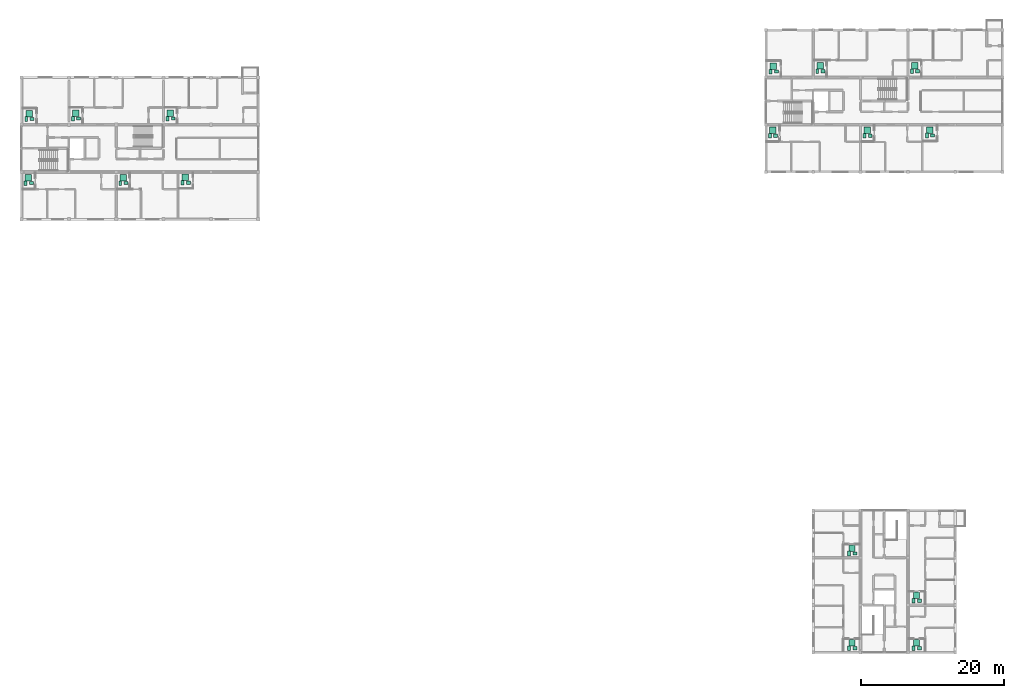
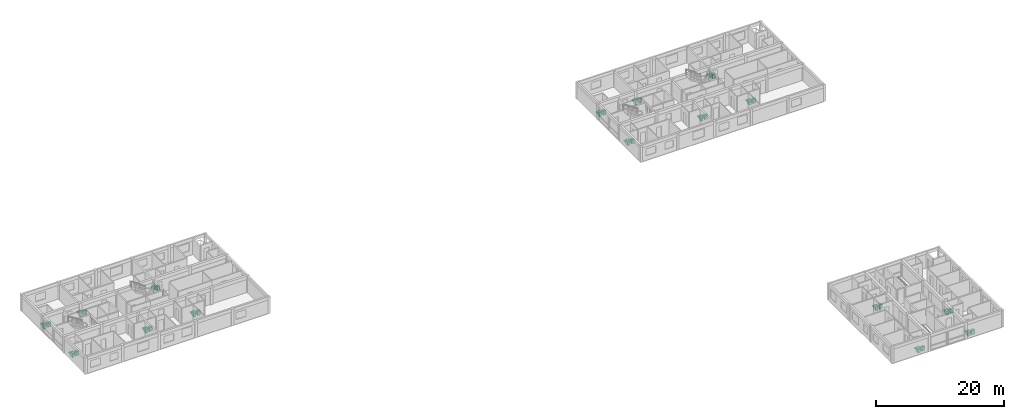
# One storey, part 34 of 34: 48 sanitary terminals.
"""IFC4 building model written with IfcOpenShell, lengths in metres."""

import ifcopenshell
import ifcopenshell.guid

model = None  # the IFC model being written
_history = None  # IfcOwnerHistory: only IFC2X3 demands one
_inside = {}  # id of a spatial element -> (the spatial element, [elements in it])
_under = {}  # id of a project, library or spatial element -> (it, [spatial elements below it])
_declared = {}  # id of a project -> (the project, [libraries it declares])
_typed = {}  # id of a type object -> (the type object, [elements of that type])
_made_of = {}  # id of a material, layer set ... -> (it, [elements and type objects made of it])


def new_model(schema):
    """Start an empty IFC model of exactly this schema.

    Asked for "IFC4X3", IfcOpenShell would pick the latest addendum, in which some entities
    have other attributes; the version numbers below select the first issue.
    IFC2X3 requires an IfcOwnerHistory on every rooted entity: one is made here for all.
    """
    global model, _history
    if schema == "IFC4X3":
        model = ifcopenshell.file(schema_version=(4, 3, 0, 0))
    else:
        model = ifcopenshell.file(schema=schema)
    _inside.clear()
    _under.clear()
    _declared.clear()
    _typed.clear()
    _made_of.clear()
    _history = None
    if model.schema == "IFC2X3":
        org = make("IfcOrganization", Name="unknown")
        user = make(
            "IfcPersonAndOrganization",
            ThePerson=make("IfcPerson", FamilyName="unknown"),
            TheOrganization=org,
        )
        app = make(
            "IfcApplication",
            ApplicationDeveloper=org,
            Version="unknown",
            ApplicationFullName="unknown",
            ApplicationIdentifier="unknown",
        )
        _history = make(
            "IfcOwnerHistory",
            OwningUser=user,
            OwningApplication=app,
            ChangeAction="ADDED",
            CreationDate=0,
        )
    return model


def make(cls, **values):
    """One entity of the class cls with the attributes given. An attribute that is None is left unset."""
    return model.create_entity(
        cls, **{name: value for name, value in values.items() if value is not None}
    )


def rooted(cls, **values):
    """An entity with a GlobalId (a new one), such as an element, a storey or a relation."""
    return make(cls, GlobalId=ifcopenshell.guid.new(), OwnerHistory=_history, **values)


def si_unit(unit_type, name, prefix=None):
    """IfcSIUnit, for example si_unit("LENGTHUNIT", "METRE", prefix="MILLI")."""
    return make("IfcSIUnit", UnitType=unit_type, Prefix=prefix, Name=name)


def assignment(units):
    """IfcUnitAssignment: the units of a project."""
    return None if units is None else make("IfcUnitAssignment", Units=units)


def point(xyz):
    """IfcCartesianPoint."""
    return None if xyz is None else make("IfcCartesianPoint", Coordinates=xyz)


def direction(xyz):
    """IfcDirection."""
    return None if xyz is None else make("IfcDirection", DirectionRatios=xyz)


def frame(location, z_axis=None, x_axis=None):
    """IfcAxis2Placement3D, a coordinate frame: its origin and axes. An axis left out is left unset."""
    return make(
        "IfcAxis2Placement3D",
        Location=point(location),
        Axis=direction(z_axis),
        RefDirection=direction(x_axis),
    )


def frame_2d(location, x_axis=None):
    """IfcAxis2Placement2D, a coordinate frame in the plane: its origin and x axis."""
    return make(
        "IfcAxis2Placement2D", Location=point(location), RefDirection=direction(x_axis)
    )


def origin():
    """The frame at (0, 0, 0) with its axes left unset."""
    return frame((0.0, 0.0, 0.0))


def origin_2d():
    """The frame at (0, 0) in the plane with its x axis left unset."""
    return frame_2d((0.0, 0.0))


def place(relative_to, where):
    """IfcLocalPlacement: puts the frame where relative to a parent placement (None: the world)."""
    return make(
        "IfcLocalPlacement", PlacementRelTo=relative_to, RelativePlacement=where
    )


def context(
    kind, dimensions, precision=None, world=None, true_north=None, identifier=None
):
    """IfcGeometricRepresentationContext, for example the 3D "Model" context."""
    return make(
        "IfcGeometricRepresentationContext",
        ContextIdentifier=identifier,
        ContextType=kind,
        CoordinateSpaceDimension=dimensions,
        Precision=precision,
        WorldCoordinateSystem=world,
        TrueNorth=true_north,
    )


def subcontext(parent, identifier, kind, view, scale=None):
    """IfcGeometricRepresentationSubContext, for example "Body" below "Model"."""
    return make(
        "IfcGeometricRepresentationSubContext",
        ContextIdentifier=identifier,
        ContextType=kind,
        ParentContext=parent,
        TargetScale=scale,
        TargetView=view,
    )


def project(units=None, contexts=None):
    """IfcProject with its units and contexts."""
    return rooted(
        "IfcProject",
        Name="project",
        RepresentationContexts=contexts,
        UnitsInContext=assignment(units),
    )


def spatial(cls, under=None, at=None, **own):
    """A site, building, storey or space (cls), placed at a placement, below another one or the project."""
    s = rooted(cls, ObjectPlacement=at, **own)
    if under is not None:
        _under.setdefault(under.id(), (under, []))[1].append(s)
    return s


def profile(cls, at=None, kind="AREA", **sizes):
    """A parametric profile (cls). Its sizes go by their IFC names, for example OverallWidth=200.0."""
    return make(cls, ProfileType=kind, Position=at, **sizes)


def rectangle(**sizes):
    """IfcRectangleProfileDef."""
    return profile("IfcRectangleProfileDef", **sizes)


def extrude(swept, where, along, depth):
    """IfcExtrudedAreaSolid: the profile swept, set in the frame where, extruded along a direction by depth."""
    return make(
        "IfcExtrudedAreaSolid",
        SweptArea=swept,
        Position=where,
        ExtrudedDirection=direction(along),
        Depth=depth,
    )


def shape(context_of_items, identifier, shape_type, items):
    """IfcShapeRepresentation: the items that make up one representation, for example the "Body"."""
    return make(
        "IfcShapeRepresentation",
        ContextOfItems=context_of_items,
        RepresentationIdentifier=identifier,
        RepresentationType=shape_type,
        Items=items,
    )


def material(Name=None, Category=None):
    """IfcMaterial."""
    return make("IfcMaterial", Name=Name, Category=Category)


def made_of(thing, what):
    """Note that an element or type object is made of a material, layer set ...; save() writes the relation."""
    if what is not None:
        _made_of.setdefault(what.id(), (what, []))[1].append(thing)
    return thing


def type_object(cls, material=None, **own):
    """A type object (cls), such as IfcWallType, which elements share."""
    return made_of(rooted(cls, **own), material)


def element(
    cls,
    number,
    at=None,
    inside=None,
    cuts=None,
    type_object=None,
    material=None,
    context=None,
    identifier="Body",
    shape_type=None,
    held_by="IfcProductDefinitionShape",
    body=None,
    shapes=None,
    **own,
):
    """One element of the class cls, such as IfcWall. Its Tag is "e" and its number.

    at: its placement. inside: the storey or other place that contains it. cuts: it is an
    opening in that element (IfcRelVoidsElement). A single representation is given by context,
    identifier, shape_type and body (its items); several are given by shapes. held_by: the class
    of the entity that holds the representations. save() writes the other relations.
    """
    e = rooted(cls, Tag="e%d" % number, ObjectPlacement=at, **own)
    if body is not None:
        shapes = [shape(context, identifier, shape_type, body)]
    if shapes is not None:
        e.Representation = make(held_by, Representations=shapes)
    if inside is not None:
        _inside.setdefault(inside.id(), (inside, []))[1].append(e)
    if cuts is not None:
        rooted(
            "IfcRelVoidsElement", RelatingBuildingElement=cuts, RelatedOpeningElement=e
        )
    if type_object is not None:
        _typed.setdefault(type_object.id(), (type_object, []))[1].append(e)
    return made_of(e, material)


def aggregate(whole, parts):
    """IfcRelAggregates: a whole, such as a stair, and the parts it consists of."""
    return rooted("IfcRelAggregates", RelatingObject=whole, RelatedObjects=parts)


def save(model, path):
    """Write the relations noted so far, then the file.

    IfcRelAggregates (storeys below a building ...), IfcRelContainedInSpatialStructure (elements
    in a storey), IfcRelDefinesByType, IfcRelAssociatesMaterial and IfcRelDeclares: one each for
    every whole, place, type object, material and project.
    """
    for whole, parts in _under.values():
        aggregate(whole, parts)
    for where, things in _inside.values():
        rooted(
            "IfcRelContainedInSpatialStructure",
            RelatedElements=things,
            RelatingStructure=where,
        )
    for kind, things in _typed.values():
        rooted("IfcRelDefinesByType", RelatedObjects=things, RelatingType=kind)
    for what, things in _made_of.values():
        rooted("IfcRelAssociatesMaterial", RelatedObjects=things, RelatingMaterial=what)
    for by, libraries in _declared.values():
        rooted("IfcRelDeclares", RelatingContext=by, RelatedDefinitions=libraries)
    model.write(path)


model = new_model("IFC4")

# Units and contexts
model_context = context("Model", 3, precision=1e-05, world=origin(), true_north=direction((0.0, 1.0)))
body_context = subcontext(model_context, "Body", "Model", "MODEL_VIEW")
ifc_project = project(units=[si_unit("LENGTHUNIT", "METRE"), si_unit("AREAUNIT", "SQUARE_METRE"), si_unit("VOLUMEUNIT", "CUBIC_METRE"), si_unit("PLANEANGLEUNIT", "RADIAN"), si_unit("MASSUNIT", "GRAM", prefix="KILO")], contexts=[model_context])

# Site, building, storey
site_placement = place(None, origin())
site = spatial("IfcSite", under=ifc_project, at=site_placement, CompositionType="ELEMENT")
building_placement = place(site_placement, origin())
building = spatial("IfcBuilding", under=site, at=building_placement, Name="Kernevlak Ridge Housing Community", CompositionType="ELEMENT")
storey_placement = place(building_placement, frame((0.0, 0.0, 40.39990234375)))
storey = spatial("IfcBuildingStorey", under=building, at=storey_placement, Name="L12", CompositionType="ELEMENT", Elevation=40.39990234375)

# Sanitary terminals
ifc_material_1 = material(Name="Vitreous china ceramic")
sanitary_terminal_type_1 = type_object("IfcSanitaryTerminalType", Name="SN-BS", PredefinedType="WASHHANDBASIN", material=ifc_material_1)
for number, where, z_axis, x_axis, name in (
    (1, (16.949951171875, 81.050048828125, 0.0), (0.0, 0.0, 1.0), (1.0, 0.0, 0.0), "Washhand basin 67"),
    (2, (30.14990234375, 81.050048828125, 0.0), (0.0, 0.0, 1.0), (1.0, 0.0, 0.0), "Washhand basin 68"),
    (3, (38.85009765625, 81.10009765625, 0.0), (0.0, 0.0, 1.0), (1.0, 0.0, 0.0), "Washhand basin 69"),
    (4, (17.050048828125, 90.0, 0.0), (0.0, 0.0, 1.0), (1.0, 0.0, 0.0), "Washhand basin 70"),
    (5, (23.550048828125, 90.050048828125, 0.0), (0.0, 0.0, 1.0), (1.0, 0.0, 0.0), "Washhand basin 71"),
    (6, (36.75, 90.050048828125, 0.0), (0.0, 0.0, 1.0), (1.0, 0.0, 0.0), "Washhand basin 72"),
    (7, (120.75, 87.64990234375, 0.0), (0.0, 0.0, 1.0), (1.0, 0.0, 0.0), "Washhand basin 164"),
    (8, (133.949951171875, 87.64990234375, 0.0), (0.0, 0.0, 1.0), (1.0, 0.0, 0.0), "Washhand basin 165"),
    (9, (142.64990234375, 87.699951171875, 0.0), (0.0, 0.0, 1.0), (1.0, 0.0, 0.0), "Washhand basin 166"),
    (10, (120.85009765625, 96.60009765625, 0.0), (0.0, 0.0, 1.0), (1.0, 0.0, 0.0), "Washhand basin 167"),
    (11, (127.35009765625, 96.64990234375, 0.0), (0.0, 0.0, 1.0), (1.0, 0.0, 0.0), "Washhand basin 168"),
    (12, (140.550048828125, 96.64990234375, 0.0), (0.0, 0.0, 1.0), (1.0, 0.0, 0.0), "Washhand basin 169"),
    (13, (131.800048828125, 16.199951171875, 0.0), (0.0, 0.0, 1.0), (1.0, 0.0, 0.0), "Washhand basin 241"),
    (14, (131.800048828125, 29.39990234375, 0.0), (0.0, 0.0, 1.0), (1.0, 0.0, 0.0), "Washhand basin 242"),
    (15, (140.800048828125, 16.199951171875, 0.0), (0.0, 0.0, 1.0), (1.0, 0.0, 0.0), "Washhand basin 243"),
    (16, (140.800048828125, 22.800048828125, 0.0), (0.0, 0.0, 1.0), (1.0, 0.0, 0.0), "Washhand basin 244"),
):
    element("IfcSanitaryTerminal", number, at=place(storey_placement, frame(where, z_axis=z_axis, x_axis=x_axis)), inside=storey, type_object=sanitary_terminal_type_1, Name=name, PredefinedType="WASHHANDBASIN", context=body_context, shape_type="SweptSolid", body=[
        extrude(rectangle(XDim=0.550048828125, YDim=0.449951171875, at=origin_2d()), origin(), (0.0, 0.0, 1.0), 0.820068359375),
    ])
ifc_material_2 = material(Name="Glazed porcelain ceramic")
sanitary_terminal_type_2 = type_object("IfcSanitaryTerminalType", Name="SN-SH", PredefinedType="SHOWER", material=ifc_material_2)
for number, where, z_axis, x_axis, name in (
    (17, (16.550048828125, 81.800048828125, 0.0), (0.0, 0.0, 1.0), (1.0, 0.0, 0.0), "Shower tray 67"),
    (18, (29.75, 81.800048828125, 0.0), (0.0, 0.0, 1.0), (1.0, 0.0, 0.0), "Shower tray 68"),
    (19, (38.449951171875, 81.85009765625, 0.0), (0.0, 0.0, 1.0), (1.0, 0.0, 0.0), "Shower tray 69"),
    (20, (16.64990234375, 90.75, 0.0), (0.0, 0.0, 1.0), (1.0, 0.0, 0.0), "Shower tray 70"),
    (21, (23.14990234375, 90.800048828125, 0.0), (0.0, 0.0, 1.0), (1.0, 0.0, 0.0), "Shower tray 71"),
    (22, (36.35009765625, 90.800048828125, 0.0), (0.0, 0.0, 1.0), (1.0, 0.0, 0.0), "Shower tray 72"),
    (23, (120.35009765625, 88.39990234375, 0.0), (0.0, 0.0, 1.0), (1.0, 0.0, 0.0), "Shower tray 164"),
    (24, (133.550048828125, 88.39990234375, 0.0), (0.0, 0.0, 1.0), (1.0, 0.0, 0.0), "Shower tray 165"),
    (25, (142.25, 88.449951171875, 0.0), (0.0, 0.0, 1.0), (1.0, 0.0, 0.0), "Shower tray 166"),
    (26, (120.449951171875, 97.35009765625, 0.0), (0.0, 0.0, 1.0), (1.0, 0.0, 0.0), "Shower tray 167"),
    (27, (126.949951171875, 97.39990234375, 0.0), (0.0, 0.0, 1.0), (1.0, 0.0, 0.0), "Shower tray 168"),
    (28, (140.14990234375, 97.39990234375, 0.0), (0.0, 0.0, 1.0), (1.0, 0.0, 0.0), "Shower tray 169"),
    (29, (131.39990234375, 16.949951171875, 0.0), (0.0, 0.0, 1.0), (1.0, 0.0, 0.0), "Shower tray 241"),
    (30, (131.39990234375, 30.14990234375, 0.0), (0.0, 0.0, 1.0), (1.0, 0.0, 0.0), "Shower tray 242"),
    (31, (140.39990234375, 16.949951171875, 0.0), (0.0, 0.0, 1.0), (1.0, 0.0, 0.0), "Shower tray 243"),
    (32, (140.39990234375, 23.550048828125, 0.0), (0.0, 0.0, 1.0), (1.0, 0.0, 0.0), "Shower tray 244"),
):
    element("IfcSanitaryTerminal", number, at=place(storey_placement, frame(where, z_axis=z_axis, x_axis=x_axis)), inside=storey, type_object=sanitary_terminal_type_2, Name=name, PredefinedType="SHOWER", context=body_context, shape_type="SweptSolid", body=[
        extrude(rectangle(XDim=0.89990234375, YDim=0.89990234375, at=origin_2d()), origin(), (0.0, 0.0, 1.0), 0.1201171875),
    ])
sanitary_terminal_type_3 = type_object("IfcSanitaryTerminalType", Name="SN-WC", PredefinedType="TOILETPAN", material=ifc_material_1)
for number, where, z_axis, x_axis, name in (
    (33, (16.14990234375, 81.050048828125, 0.0), (0.0, 0.0, 1.0), (1.0, 0.0, 0.0), "WC pan 67"),
    (34, (29.35009765625, 81.050048828125, 0.0), (0.0, 0.0, 1.0), (1.0, 0.0, 0.0), "WC pan 68"),
    (35, (38.050048828125, 81.10009765625, 0.0), (0.0, 0.0, 1.0), (1.0, 0.0, 0.0), "WC pan 69"),
    (36, (16.25, 90.0, 0.0), (0.0, 0.0, 1.0), (1.0, 0.0, 0.0), "WC pan 70"),
    (37, (22.75, 90.050048828125, 0.0), (0.0, 0.0, 1.0), (1.0, 0.0, 0.0), "WC pan 71"),
    (38, (35.949951171875, 90.050048828125, 0.0), (0.0, 0.0, 1.0), (1.0, 0.0, 0.0), "WC pan 72"),
    (39, (119.949951171875, 87.64990234375, 0.0), (0.0, 0.0, 1.0), (1.0, 0.0, 0.0), "WC pan 164"),
    (40, (133.14990234375, 87.64990234375, 0.0), (0.0, 0.0, 1.0), (1.0, 0.0, 0.0), "WC pan 165"),
    (41, (141.85009765625, 87.699951171875, 0.0), (0.0, 0.0, 1.0), (1.0, 0.0, 0.0), "WC pan 166"),
    (42, (120.050048828125, 96.60009765625, 0.0), (0.0, 0.0, 1.0), (1.0, 0.0, 0.0), "WC pan 167"),
    (43, (126.550048828125, 96.64990234375, 0.0), (0.0, 0.0, 1.0), (1.0, 0.0, 0.0), "WC pan 168"),
    (44, (139.75, 96.64990234375, 0.0), (0.0, 0.0, 1.0), (1.0, 0.0, 0.0), "WC pan 169"),
    (45, (131.0, 16.199951171875, 0.0), (0.0, 0.0, 1.0), (1.0, 0.0, 0.0), "WC pan 241"),
    (46, (131.0, 29.39990234375, 0.0), (0.0, 0.0, 1.0), (1.0, 0.0, 0.0), "WC pan 242"),
    (47, (140.0, 16.199951171875, 0.0), (0.0, 0.0, 1.0), (1.0, 0.0, 0.0), "WC pan 243"),
    (48, (140.0, 22.800048828125, 0.0), (0.0, 0.0, 1.0), (1.0, 0.0, 0.0), "WC pan 244"),
):
    element("IfcSanitaryTerminal", number, at=place(storey_placement, frame(where, z_axis=z_axis, x_axis=x_axis)), inside=storey, type_object=sanitary_terminal_type_3, Name=name, PredefinedType="TOILETPAN", context=body_context, shape_type="SweptSolid", body=[
        extrude(rectangle(XDim=0.39990234375, YDim=0.64990234375, at=origin_2d()), origin(), (0.0, 0.0, 1.0), 0.780029296875),
    ])

save(model, "model.ifc")
